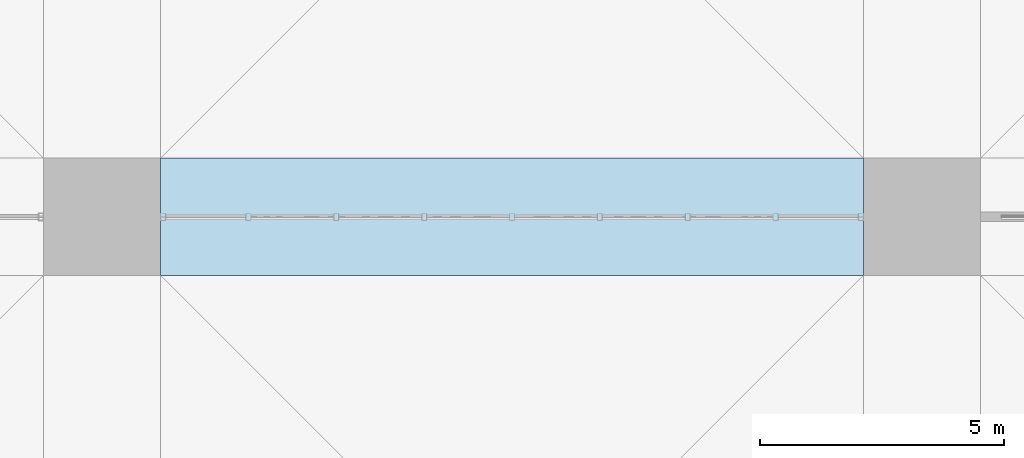
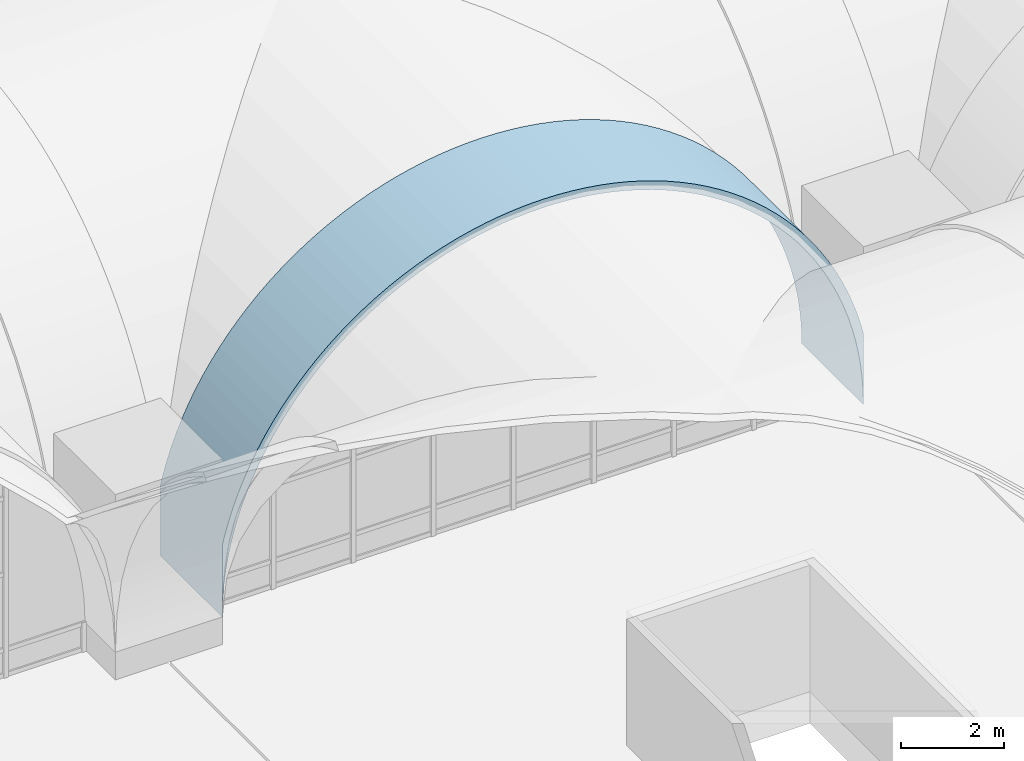
# One storey, part 124 of 169: 1 roof.
"""IFC4 building model written with IfcOpenShell, lengths in metres."""

from ifc_helpers import new_model, si_unit, direction, frame, origin, place, context, subcontext, project, spatial, polygons, material, layer, layer_set, type_object, element, save


model = new_model("IFC4")

# Units and contexts
model_context = context("Model", 3, precision=1e-05, world=origin(), true_north=direction((0.0, 1.0)))
body_context = subcontext(model_context, "Body", "Model", "MODEL_VIEW")
ifc_project = project(units=[si_unit("LENGTHUNIT", "METRE"), si_unit("AREAUNIT", "SQUARE_METRE"), si_unit("VOLUMEUNIT", "CUBIC_METRE"), si_unit("PLANEANGLEUNIT", "RADIAN"), si_unit("MASSUNIT", "GRAM", prefix="KILO")], contexts=[model_context])

# Site, building, storey
site_placement = place(None, origin())
site = spatial("IfcSite", under=ifc_project, at=site_placement, CompositionType="ELEMENT")
building_placement = place(site_placement, origin())
building = spatial("IfcBuilding", under=site, at=building_placement, Name="Verrick Yard Athletic Hall", CompositionType="ELEMENT")
storey_placement = place(building_placement, frame((0.0, 0.0, 4.39990234375)))
storey = spatial("IfcBuildingStorey", under=building, at=storey_placement, Name="L01", CompositionType="ELEMENT", Elevation=4.39990234375)

# Roof
ifc_material = material(Name="Concrete 35 MPa", Category="concrete")
ifc_layer = layer(ifc_material, 0.199951171875)
ifc_layer_set = layer_set([ifc_layer], Name="Arch rib 200")
roof_type = type_object("IfcRoofType", Name="Arch rib 200", PredefinedType="BARREL_ROOF", material=ifc_layer_set)
roof_placement = place(storey_placement, origin())
element("IfcRoof", 1, at=roof_placement, inside=storey, type_object=roof_type, Name="Vault rib M3", PredefinedType="BARREL_ROOF", context=body_context, shape_type="Tessellation", body=[
    polygons([(74.800048828125, 34.800048828125, 2.352294921875), (74.800048828125, 34.800048828125, 0.650146484375), (74.806884765625, 34.800048828125, 0.964111328125), (74.827392578125, 34.800048828125, 1.277587890625), (74.861572265625, 34.800048828125, 1.58984375), (74.909423828125, 34.800048828125, 1.900390625), (74.970703125, 34.800048828125, 2.20849609375), (75.04541015625, 34.800048828125, 2.513671875), (75.13330078125, 34.800048828125, 2.815185546875), (75.234130859375, 34.800048828125, 3.112548828125), (75.34814453125, 34.800048828125, 3.405517578125), (75.474609375, 34.800048828125, 3.693115234375), (75.613525390625, 34.800048828125, 3.974609375), (75.7646484375, 34.800048828125, 4.25), (75.927490234375, 34.800048828125, 4.518798828125), (76.10205078125, 34.800048828125, 4.77978515625), (76.287841796875, 34.800048828125, 5.033203125), (76.484619140625, 34.800048828125, 5.278076171875), (76.691650390625, 34.800048828125, 5.514404296875), (76.90869140625, 34.800048828125, 5.7412109375), (77.1357421875, 34.800048828125, 5.95849609375), (77.371826171875, 34.800048828125, 6.16552734375), (77.616943359375, 34.800048828125, 6.3623046875), (77.8701171875, 34.800048828125, 6.548095703125), (78.13134765625, 34.800048828125, 6.722412109375), (78.39990234375, 34.800048828125, 6.885498046875), (78.67529296875, 34.800048828125, 7.03662109375), (78.95703125, 34.800048828125, 7.175537109375), (79.24462890625, 34.800048828125, 7.302001953125), (79.53759765625, 34.800048828125, 7.416015625), (79.8349609375, 34.800048828125, 7.516845703125), (80.136474609375, 34.800048828125, 7.604736328125), (80.441650390625, 34.800048828125, 7.679443359375), (80.749755859375, 34.800048828125, 7.74072265625), (81.060302734375, 34.800048828125, 7.78857421875), (81.37255859375, 34.800048828125, 7.82275390625), (81.685791015625, 34.800048828125, 7.84326171875), (82.0, 34.800048828125, 7.85009765625), (82.314208984375, 34.800048828125, 7.84326171875), (82.62744140625, 34.800048828125, 7.82275390625), (82.939697265625, 34.800048828125, 7.78857421875), (83.250244140625, 34.800048828125, 7.74072265625), (83.558349609375, 34.800048828125, 7.679443359375), (83.863525390625, 34.800048828125, 7.604736328125), (84.1650390625, 34.800048828125, 7.516845703125), (84.46240234375, 34.800048828125, 7.416015625), (84.75537109375, 34.800048828125, 7.302001953125), (85.04296875, 34.800048828125, 7.175537109375), (85.32470703125, 34.800048828125, 7.03662109375), (85.60009765625, 34.800048828125, 6.885498046875), (85.86865234375, 34.800048828125, 6.722412109375), (86.1298828125, 34.800048828125, 6.548095703125), (86.383056640625, 34.800048828125, 6.3623046875), (86.628173828125, 34.800048828125, 6.16552734375), (86.8642578125, 34.800048828125, 5.95849609375), (87.09130859375, 34.800048828125, 5.7412109375), (87.308349609375, 34.800048828125, 5.514404296875), (87.515380859375, 34.800048828125, 5.278076171875), (87.712158203125, 34.800048828125, 5.033203125), (87.89794921875, 34.800048828125, 4.77978515625), (88.072509765625, 34.800048828125, 4.518798828125), (88.2353515625, 34.800048828125, 4.25), (88.386474609375, 34.800048828125, 3.974609375), (88.525390625, 34.800048828125, 3.693115234375), (88.65185546875, 34.800048828125, 3.405517578125), (88.765869140625, 34.800048828125, 3.112548828125), (88.86669921875, 34.800048828125, 2.815185546875), (88.95458984375, 34.800048828125, 2.513671875), (89.029296875, 34.800048828125, 2.20849609375), (89.090576171875, 34.800048828125, 1.900390625), (89.138427734375, 34.800048828125, 1.58984375), (89.172607421875, 34.800048828125, 1.277587890625), (89.193115234375, 34.800048828125, 0.964111328125), (89.199951171875, 34.800048828125, 0.650146484375), (89.199951171875, 34.800048828125, 2.352294921875), (89.14794921875, 34.800048828125, 2.5654296875), (89.0576171875, 34.800048828125, 2.875244140625), (88.95361328125, 34.800048828125, 3.180908203125), (88.836669921875, 34.800048828125, 3.48193359375), (88.706787109375, 34.800048828125, 3.777587890625), (88.56396484375, 34.800048828125, 4.06689453125), (88.40869140625, 34.800048828125, 4.35009765625), (88.2412109375, 34.800048828125, 4.6259765625), (88.061767578125, 34.800048828125, 4.89453125), (87.870849609375, 34.800048828125, 5.15478515625), (87.668701171875, 34.800048828125, 5.40673828125), (87.455810546875, 34.800048828125, 5.6494140625), (87.232666015625, 34.800048828125, 5.8828125), (86.99951171875, 34.800048828125, 6.10595703125), (86.756591796875, 34.800048828125, 6.31884765625), (86.5048828125, 34.800048828125, 6.52099609375), (86.244384765625, 34.800048828125, 6.7119140625), (85.97607421875, 34.800048828125, 6.89111328125), (85.699951171875, 34.800048828125, 7.05859375), (85.4169921875, 34.800048828125, 7.214111328125), (85.12744140625, 34.800048828125, 7.356689453125), (84.831787109375, 34.800048828125, 7.48681640625), (84.531005859375, 34.800048828125, 7.603759765625), (84.22509765625, 34.800048828125, 7.70751953125), (83.915283203125, 34.800048828125, 7.798095703125), (83.601806640625, 34.800048828125, 7.874755859375), (83.284912109375, 34.800048828125, 7.937744140625), (82.9658203125, 34.800048828125, 7.98681640625), (82.64501953125, 34.800048828125, 8.02197265625), (82.32275390625, 34.800048828125, 8.043212890625), (82.0, 34.800048828125, 8.050048828125), (81.67724609375, 34.800048828125, 8.043212890625), (81.35498046875, 34.800048828125, 8.02197265625), (81.0341796875, 34.800048828125, 7.98681640625), (80.715087890625, 34.800048828125, 7.937744140625), (80.398193359375, 34.800048828125, 7.874755859375), (80.084716796875, 34.800048828125, 7.798095703125), (79.77490234375, 34.800048828125, 7.70751953125), (79.468994140625, 34.800048828125, 7.603759765625), (79.168212890625, 34.800048828125, 7.48681640625), (78.87255859375, 34.800048828125, 7.356689453125), (78.5830078125, 34.800048828125, 7.214111328125), (78.300048828125, 34.800048828125, 7.05859375), (78.02392578125, 34.800048828125, 6.89111328125), (77.755615234375, 34.800048828125, 6.7119140625), (77.4951171875, 34.800048828125, 6.52099609375), (77.243408203125, 34.800048828125, 6.31884765625), (77.00048828125, 34.800048828125, 6.10595703125), (76.767333984375, 34.800048828125, 5.8828125), (76.544189453125, 34.800048828125, 5.6494140625), (76.331298828125, 34.800048828125, 5.40673828125), (76.129150390625, 34.800048828125, 5.15478515625), (75.938232421875, 34.800048828125, 4.89453125), (75.7587890625, 34.800048828125, 4.6259765625), (75.59130859375, 34.800048828125, 4.35009765625), (75.43603515625, 34.800048828125, 4.06689453125), (75.293212890625, 34.800048828125, 3.777587890625), (75.163330078125, 34.800048828125, 3.48193359375), (75.04638671875, 34.800048828125, 3.180908203125), (74.9423828125, 34.800048828125, 2.875244140625), (74.85205078125, 34.800048828125, 2.5654296875), (74.800048828125, 37.199951171875, 2.352294921875), (74.800048828125, 37.199951171875, 0.650146484375), (74.806884765625, 37.199951171875, 0.964111328125), (74.827392578125, 37.199951171875, 1.277587890625), (74.861572265625, 37.199951171875, 1.58984375), (74.909423828125, 37.199951171875, 1.900390625), (74.970703125, 37.199951171875, 2.20849609375), (75.04541015625, 37.199951171875, 2.513671875), (75.13330078125, 37.199951171875, 2.815185546875), (75.234130859375, 37.199951171875, 3.112548828125), (75.34814453125, 37.199951171875, 3.405517578125), (75.474609375, 37.199951171875, 3.693115234375), (75.613525390625, 37.199951171875, 3.974609375), (75.7646484375, 37.199951171875, 4.25), (75.927490234375, 37.199951171875, 4.518798828125), (76.10205078125, 37.199951171875, 4.77978515625), (76.287841796875, 37.199951171875, 5.033203125), (76.484619140625, 37.199951171875, 5.278076171875), (76.691650390625, 37.199951171875, 5.514404296875), (76.90869140625, 37.199951171875, 5.7412109375), (77.1357421875, 37.199951171875, 5.95849609375), (77.371826171875, 37.199951171875, 6.16552734375), (77.616943359375, 37.199951171875, 6.3623046875), (77.8701171875, 37.199951171875, 6.548095703125), (78.13134765625, 37.199951171875, 6.722412109375), (78.39990234375, 37.199951171875, 6.885498046875), (78.67529296875, 37.199951171875, 7.03662109375), (78.95703125, 37.199951171875, 7.175537109375), (79.24462890625, 37.199951171875, 7.302001953125), (79.53759765625, 37.199951171875, 7.416015625), (79.8349609375, 37.199951171875, 7.516845703125), (80.136474609375, 37.199951171875, 7.604736328125), (80.441650390625, 37.199951171875, 7.679443359375), (80.749755859375, 37.199951171875, 7.74072265625), (81.060302734375, 37.199951171875, 7.78857421875), (81.37255859375, 37.199951171875, 7.82275390625), (81.685791015625, 37.199951171875, 7.84326171875), (82.0, 37.199951171875, 7.85009765625), (82.314208984375, 37.199951171875, 7.84326171875), (82.62744140625, 37.199951171875, 7.82275390625), (82.939697265625, 37.199951171875, 7.78857421875), (83.250244140625, 37.199951171875, 7.74072265625), (83.558349609375, 37.199951171875, 7.679443359375), (83.863525390625, 37.199951171875, 7.604736328125), (84.1650390625, 37.199951171875, 7.516845703125), (84.46240234375, 37.199951171875, 7.416015625), (84.75537109375, 37.199951171875, 7.302001953125), (85.04296875, 37.199951171875, 7.175537109375), (85.32470703125, 37.199951171875, 7.03662109375), (85.60009765625, 37.199951171875, 6.885498046875), (85.86865234375, 37.199951171875, 6.722412109375), (86.1298828125, 37.199951171875, 6.548095703125), (86.383056640625, 37.199951171875, 6.3623046875), (86.628173828125, 37.199951171875, 6.16552734375), (86.8642578125, 37.199951171875, 5.95849609375), (87.09130859375, 37.199951171875, 5.7412109375), (87.308349609375, 37.199951171875, 5.514404296875), (87.515380859375, 37.199951171875, 5.278076171875), (87.712158203125, 37.199951171875, 5.033203125), (87.89794921875, 37.199951171875, 4.77978515625), (88.072509765625, 37.199951171875, 4.518798828125), (88.2353515625, 37.199951171875, 4.25), (88.386474609375, 37.199951171875, 3.974609375), (88.525390625, 37.199951171875, 3.693115234375), (88.65185546875, 37.199951171875, 3.405517578125), (88.765869140625, 37.199951171875, 3.112548828125), (88.86669921875, 37.199951171875, 2.815185546875), (88.95458984375, 37.199951171875, 2.513671875), (89.029296875, 37.199951171875, 2.20849609375), (89.090576171875, 37.199951171875, 1.900390625), (89.138427734375, 37.199951171875, 1.58984375), (89.172607421875, 37.199951171875, 1.277587890625), (89.193115234375, 37.199951171875, 0.964111328125), (89.199951171875, 37.199951171875, 0.650146484375), (89.199951171875, 37.199951171875, 2.352294921875), (89.14794921875, 37.199951171875, 2.5654296875), (89.0576171875, 37.199951171875, 2.875244140625), (88.95361328125, 37.199951171875, 3.180908203125), (88.836669921875, 37.199951171875, 3.48193359375), (88.706787109375, 37.199951171875, 3.777587890625), (88.56396484375, 37.199951171875, 4.06689453125), (88.40869140625, 37.199951171875, 4.35009765625), (88.2412109375, 37.199951171875, 4.6259765625), (88.061767578125, 37.199951171875, 4.89453125), (87.870849609375, 37.199951171875, 5.15478515625), (87.668701171875, 37.199951171875, 5.40673828125), (87.455810546875, 37.199951171875, 5.6494140625), (87.232666015625, 37.199951171875, 5.8828125), (86.99951171875, 37.199951171875, 6.10595703125), (86.756591796875, 37.199951171875, 6.31884765625), (86.5048828125, 37.199951171875, 6.52099609375), (86.244384765625, 37.199951171875, 6.7119140625), (85.97607421875, 37.199951171875, 6.89111328125), (85.699951171875, 37.199951171875, 7.05859375), (85.4169921875, 37.199951171875, 7.214111328125), (85.12744140625, 37.199951171875, 7.356689453125), (84.831787109375, 37.199951171875, 7.48681640625), (84.531005859375, 37.199951171875, 7.603759765625), (84.22509765625, 37.199951171875, 7.70751953125), (83.915283203125, 37.199951171875, 7.798095703125), (83.601806640625, 37.199951171875, 7.874755859375), (83.284912109375, 37.199951171875, 7.937744140625), (82.9658203125, 37.199951171875, 7.98681640625), (82.64501953125, 37.199951171875, 8.02197265625), (82.32275390625, 37.199951171875, 8.043212890625), (82.0, 37.199951171875, 8.050048828125), (81.67724609375, 37.199951171875, 8.043212890625), (81.35498046875, 37.199951171875, 8.02197265625), (81.0341796875, 37.199951171875, 7.98681640625), (80.715087890625, 37.199951171875, 7.937744140625), (80.398193359375, 37.199951171875, 7.874755859375), (80.084716796875, 37.199951171875, 7.798095703125), (79.77490234375, 37.199951171875, 7.70751953125), (79.468994140625, 37.199951171875, 7.603759765625), (79.168212890625, 37.199951171875, 7.48681640625), (78.87255859375, 37.199951171875, 7.356689453125), (78.5830078125, 37.199951171875, 7.214111328125), (78.300048828125, 37.199951171875, 7.05859375), (78.02392578125, 37.199951171875, 6.89111328125), (77.755615234375, 37.199951171875, 6.7119140625), (77.4951171875, 37.199951171875, 6.52099609375), (77.243408203125, 37.199951171875, 6.31884765625), (77.00048828125, 37.199951171875, 6.10595703125), (76.767333984375, 37.199951171875, 5.8828125), (76.544189453125, 37.199951171875, 5.6494140625), (76.331298828125, 37.199951171875, 5.40673828125), (76.129150390625, 37.199951171875, 5.15478515625), (75.938232421875, 37.199951171875, 4.89453125), (75.7587890625, 37.199951171875, 4.6259765625), (75.59130859375, 37.199951171875, 4.35009765625), (75.43603515625, 37.199951171875, 4.06689453125), (75.293212890625, 37.199951171875, 3.777587890625), (75.163330078125, 37.199951171875, 3.48193359375), (75.04638671875, 37.199951171875, 3.180908203125), (74.9423828125, 37.199951171875, 2.875244140625), (74.85205078125, 37.199951171875, 2.5654296875)], [[[1, 2, 3]], [[137, 139, 138]], [[136, 1, 3]], [[272, 139, 137]], [[136, 3, 4]], [[272, 140, 139]], [[136, 4, 5]], [[272, 141, 140]], [[136, 5, 6]], [[272, 142, 141]], [[136, 6, 7]], [[272, 143, 142]], [[136, 7, 8]], [[272, 144, 143]], [[136, 8, 9]], [[272, 145, 144]], [[136, 9, 10]], [[272, 146, 145]], [[136, 10, 11]], [[272, 147, 146]], [[136, 11, 12]], [[272, 148, 147]], [[136, 12, 13]], [[272, 149, 148]], [[73, 74, 75]], [[209, 211, 210]], [[72, 73, 75]], [[208, 211, 209]], [[71, 72, 75]], [[207, 211, 208]], [[70, 71, 75]], [[206, 211, 207]], [[69, 70, 75]], [[205, 211, 206]], [[68, 69, 75]], [[204, 211, 205]], [[67, 68, 75]], [[203, 211, 204]], [[66, 67, 75]], [[202, 211, 203]], [[65, 66, 75]], [[201, 211, 202]], [[64, 65, 75]], [[200, 211, 201]], [[63, 64, 75]], [[199, 211, 200]], [[63, 75, 76]], [[199, 212, 211]], [[63, 76, 77]], [[199, 213, 212]], [[62, 63, 77]], [[198, 213, 199]], [[62, 77, 78]], [[198, 214, 213]], [[61, 62, 78]], [[197, 214, 198]], [[61, 78, 79]], [[197, 215, 214]], [[60, 61, 79]], [[196, 215, 197]], [[60, 79, 80]], [[196, 216, 215]], [[59, 60, 80]], [[195, 216, 196]], [[59, 80, 81]], [[195, 217, 216]], [[58, 59, 81]], [[194, 217, 195]], [[58, 81, 82]], [[194, 218, 217]], [[57, 58, 82]], [[193, 218, 194]], [[57, 82, 83]], [[193, 219, 218]], [[56, 57, 83]], [[192, 219, 193]], [[56, 83, 84]], [[192, 220, 219]], [[55, 56, 84]], [[191, 220, 192]], [[55, 84, 85]], [[191, 221, 220]], [[54, 55, 85]], [[190, 221, 191]], [[54, 85, 86]], [[190, 222, 221]], [[53, 54, 86]], [[189, 222, 190]], [[53, 86, 87]], [[189, 223, 222]], [[52, 53, 87]], [[188, 223, 189]], [[52, 87, 88]], [[188, 224, 223]], [[51, 52, 88]], [[187, 224, 188]], [[51, 88, 89]], [[187, 225, 224]], [[50, 51, 89]], [[186, 225, 187]], [[50, 89, 90]], [[186, 226, 225]], [[49, 50, 90]], [[185, 226, 186]], [[49, 90, 91]], [[185, 227, 226]], [[48, 49, 91]], [[184, 227, 185]], [[48, 91, 92]], [[184, 228, 227]], [[47, 48, 92]], [[183, 228, 184]], [[47, 92, 93]], [[183, 229, 228]], [[46, 47, 93]], [[182, 229, 183]], [[46, 93, 94]], [[182, 230, 229]], [[45, 46, 94]], [[181, 230, 182]], [[45, 94, 95]], [[181, 231, 230]], [[44, 45, 95]], [[180, 231, 181]], [[44, 95, 96]], [[180, 232, 231]], [[43, 44, 96]], [[179, 232, 180]], [[43, 96, 97]], [[179, 233, 232]], [[42, 43, 97]], [[178, 233, 179]], [[42, 97, 98]], [[178, 234, 233]], [[41, 42, 98]], [[177, 234, 178]], [[41, 98, 99]], [[177, 235, 234]], [[40, 41, 99]], [[176, 235, 177]], [[40, 99, 100]], [[176, 236, 235]], [[39, 40, 100]], [[175, 236, 176]], [[39, 100, 101]], [[175, 237, 236]], [[38, 39, 101]], [[174, 237, 175]], [[38, 101, 102]], [[174, 238, 237]], [[37, 38, 102]], [[173, 238, 174]], [[37, 102, 103]], [[173, 239, 238]], [[36, 37, 103]], [[172, 239, 173]], [[36, 103, 104]], [[172, 240, 239]], [[35, 36, 104]], [[171, 240, 172]], [[35, 104, 105]], [[171, 241, 240]], [[34, 35, 105]], [[170, 241, 171]], [[34, 105, 106]], [[170, 242, 241]], [[33, 34, 106]], [[169, 242, 170]], [[33, 106, 107]], [[169, 243, 242]], [[32, 33, 107]], [[168, 243, 169]], [[32, 107, 108]], [[168, 244, 243]], [[31, 32, 108]], [[167, 244, 168]], [[31, 108, 109]], [[167, 245, 244]], [[30, 31, 109]], [[166, 245, 167]], [[30, 109, 110]], [[166, 246, 245]], [[29, 30, 110]], [[165, 246, 166]], [[29, 110, 111]], [[165, 247, 246]], [[28, 29, 111]], [[164, 247, 165]], [[28, 111, 112]], [[164, 248, 247]], [[27, 28, 112]], [[163, 248, 164]], [[27, 112, 113]], [[163, 249, 248]], [[26, 27, 113]], [[162, 249, 163]], [[26, 113, 114]], [[162, 250, 249]], [[25, 26, 114]], [[161, 250, 162]], [[25, 114, 115]], [[161, 251, 250]], [[24, 25, 115]], [[160, 251, 161]], [[24, 115, 116]], [[160, 252, 251]], [[23, 24, 116]], [[159, 252, 160]], [[23, 116, 117]], [[159, 253, 252]], [[22, 23, 117]], [[158, 253, 159]], [[22, 117, 118]], [[158, 254, 253]], [[21, 22, 118]], [[157, 254, 158]], [[21, 118, 119]], [[157, 255, 254]], [[20, 21, 119]], [[156, 255, 157]], [[20, 119, 120]], [[156, 256, 255]], [[19, 20, 120]], [[155, 256, 156]], [[19, 120, 121]], [[155, 257, 256]], [[18, 19, 121]], [[154, 257, 155]], [[18, 121, 122]], [[154, 258, 257]], [[17, 18, 122]], [[153, 258, 154]], [[17, 122, 123]], [[153, 259, 258]], [[16, 17, 123]], [[152, 259, 153]], [[16, 123, 124]], [[152, 260, 259]], [[15, 16, 124]], [[151, 260, 152]], [[15, 124, 125]], [[151, 261, 260]], [[14, 15, 125]], [[150, 261, 151]], [[14, 125, 126]], [[150, 262, 261]], [[13, 14, 126]], [[149, 262, 150]], [[136, 13, 126]], [[272, 262, 149]], [[136, 126, 127]], [[272, 263, 262]], [[136, 127, 128]], [[272, 264, 263]], [[136, 128, 129]], [[272, 265, 264]], [[136, 129, 130]], [[272, 266, 265]], [[136, 130, 131]], [[272, 267, 266]], [[136, 131, 132]], [[272, 268, 267]], [[136, 132, 133]], [[272, 269, 268]], [[136, 133, 134]], [[272, 270, 269]], [[134, 135, 136]], [[270, 272, 271]], [[1, 138, 2]], [[1, 137, 138]], [[2, 139, 3]], [[2, 138, 139]], [[3, 140, 4]], [[3, 139, 140]], [[4, 141, 5]], [[4, 140, 141]], [[5, 142, 6]], [[5, 141, 142]], [[6, 143, 7]], [[6, 142, 143]], [[7, 144, 8]], [[7, 143, 144]], [[8, 145, 9]], [[8, 144, 145]], [[9, 146, 10]], [[9, 145, 146]], [[10, 147, 11]], [[10, 146, 147]], [[11, 148, 12]], [[11, 147, 148]], [[12, 149, 13]], [[12, 148, 149]], [[13, 150, 14]], [[13, 149, 150]], [[14, 151, 15]], [[14, 150, 151]], [[15, 152, 16]], [[15, 151, 152]], [[16, 153, 17]], [[16, 152, 153]], [[17, 154, 18]], [[17, 153, 154]], [[18, 155, 19]], [[18, 154, 155]], [[19, 156, 20]], [[19, 155, 156]], [[20, 157, 21]], [[20, 156, 157]], [[21, 158, 22]], [[21, 157, 158]], [[22, 159, 23]], [[22, 158, 159]], [[23, 160, 24]], [[23, 159, 160]], [[24, 161, 25]], [[24, 160, 161]], [[25, 162, 26]], [[25, 161, 162]], [[26, 163, 27]], [[26, 162, 163]], [[27, 164, 28]], [[27, 163, 164]], [[28, 165, 29]], [[28, 164, 165]], [[29, 166, 30]], [[29, 165, 166]], [[30, 167, 31]], [[30, 166, 167]], [[31, 168, 32]], [[31, 167, 168]], [[32, 169, 33]], [[32, 168, 169]], [[33, 170, 34]], [[33, 169, 170]], [[34, 171, 35]], [[34, 170, 171]], [[35, 172, 36]], [[35, 171, 172]], [[36, 173, 37]], [[36, 172, 173]], [[37, 174, 38]], [[37, 173, 174]], [[38, 175, 39]], [[38, 174, 175]], [[39, 176, 40]], [[39, 175, 176]], [[40, 177, 41]], [[40, 176, 177]], [[41, 178, 42]], [[41, 177, 178]], [[42, 179, 43]], [[42, 178, 179]], [[43, 180, 44]], [[43, 179, 180]], [[44, 181, 45]], [[44, 180, 181]], [[45, 182, 46]], [[45, 181, 182]], [[46, 183, 47]], [[46, 182, 183]], [[47, 184, 48]], [[47, 183, 184]], [[48, 185, 49]], [[48, 184, 185]], [[49, 186, 50]], [[49, 185, 186]], [[50, 187, 51]], [[50, 186, 187]], [[51, 188, 52]], [[51, 187, 188]], [[52, 189, 53]], [[52, 188, 189]], [[53, 190, 54]], [[53, 189, 190]], [[54, 191, 55]], [[54, 190, 191]], [[55, 192, 56]], [[55, 191, 192]], [[56, 193, 57]], [[56, 192, 193]], [[57, 194, 58]], [[57, 193, 194]], [[58, 195, 59]], [[58, 194, 195]], [[59, 196, 60]], [[59, 195, 196]], [[60, 197, 61]], [[60, 196, 197]], [[61, 198, 62]], [[61, 197, 198]], [[62, 199, 63]], [[62, 198, 199]], [[63, 200, 64]], [[63, 199, 200]], [[64, 201, 65]], [[64, 200, 201]], [[65, 202, 66]], [[65, 201, 202]], [[66, 203, 67]], [[66, 202, 203]], [[67, 204, 68]], [[67, 203, 204]], [[68, 205, 69]], [[68, 204, 205]], [[69, 206, 70]], [[69, 205, 206]], [[70, 207, 71]], [[70, 206, 207]], [[71, 208, 72]], [[71, 207, 208]], [[72, 209, 73]], [[72, 208, 209]], [[73, 210, 74]], [[73, 209, 210]], [[74, 211, 75]], [[74, 210, 211]], [[75, 212, 76]], [[75, 211, 212]], [[76, 213, 77]], [[76, 212, 213]], [[77, 214, 78]], [[77, 213, 214]], [[78, 215, 79]], [[78, 214, 215]], [[79, 216, 80]], [[79, 215, 216]], [[80, 217, 81]], [[80, 216, 217]], [[81, 218, 82]], [[81, 217, 218]], [[82, 219, 83]], [[82, 218, 219]], [[83, 220, 84]], [[83, 219, 220]], [[84, 221, 85]], [[84, 220, 221]], [[85, 222, 86]], [[85, 221, 222]], [[86, 223, 87]], [[86, 222, 223]], [[87, 224, 88]], [[87, 223, 224]], [[88, 225, 89]], [[88, 224, 225]], [[89, 226, 90]], [[89, 225, 226]], [[90, 227, 91]], [[90, 226, 227]], [[91, 228, 92]], [[91, 227, 228]], [[92, 229, 93]], [[92, 228, 229]], [[93, 230, 94]], [[93, 229, 230]], [[94, 231, 95]], [[94, 230, 231]], [[95, 232, 96]], [[95, 231, 232]], [[96, 233, 97]], [[96, 232, 233]], [[97, 234, 98]], [[97, 233, 234]], [[98, 235, 99]], [[98, 234, 235]], [[99, 236, 100]], [[99, 235, 236]], [[100, 237, 101]], [[100, 236, 237]], [[101, 238, 102]], [[101, 237, 238]], [[102, 239, 103]], [[102, 238, 239]], [[103, 240, 104]], [[103, 239, 240]], [[104, 241, 105]], [[104, 240, 241]], [[105, 242, 106]], [[105, 241, 242]], [[106, 243, 107]], [[106, 242, 243]], [[107, 244, 108]], [[107, 243, 244]], [[108, 245, 109]], [[108, 244, 245]], [[109, 246, 110]], [[109, 245, 246]], [[110, 247, 111]], [[110, 246, 247]], [[111, 248, 112]], [[111, 247, 248]], [[112, 249, 113]], [[112, 248, 249]], [[113, 250, 114]], [[113, 249, 250]], [[114, 251, 115]], [[114, 250, 251]], [[115, 252, 116]], [[115, 251, 252]], [[116, 253, 117]], [[116, 252, 253]], [[117, 254, 118]], [[117, 253, 254]], [[118, 255, 119]], [[118, 254, 255]], [[119, 256, 120]], [[119, 255, 256]], [[120, 257, 121]], [[120, 256, 257]], [[121, 258, 122]], [[121, 257, 258]], [[122, 259, 123]], [[122, 258, 259]], [[123, 260, 124]], [[123, 259, 260]], [[124, 261, 125]], [[124, 260, 261]], [[125, 262, 126]], [[125, 261, 262]], [[126, 263, 127]], [[126, 262, 263]], [[127, 264, 128]], [[127, 263, 264]], [[128, 265, 129]], [[128, 264, 265]], [[129, 266, 130]], [[129, 265, 266]], [[130, 267, 131]], [[130, 266, 267]], [[131, 268, 132]], [[131, 267, 268]], [[132, 269, 133]], [[132, 268, 269]], [[133, 270, 134]], [[133, 269, 270]], [[134, 271, 135]], [[134, 270, 271]], [[135, 272, 136]], [[135, 271, 272]], [[136, 137, 1]], [[136, 272, 137]]], closed=True),
])

save(model, "model.ifc")
